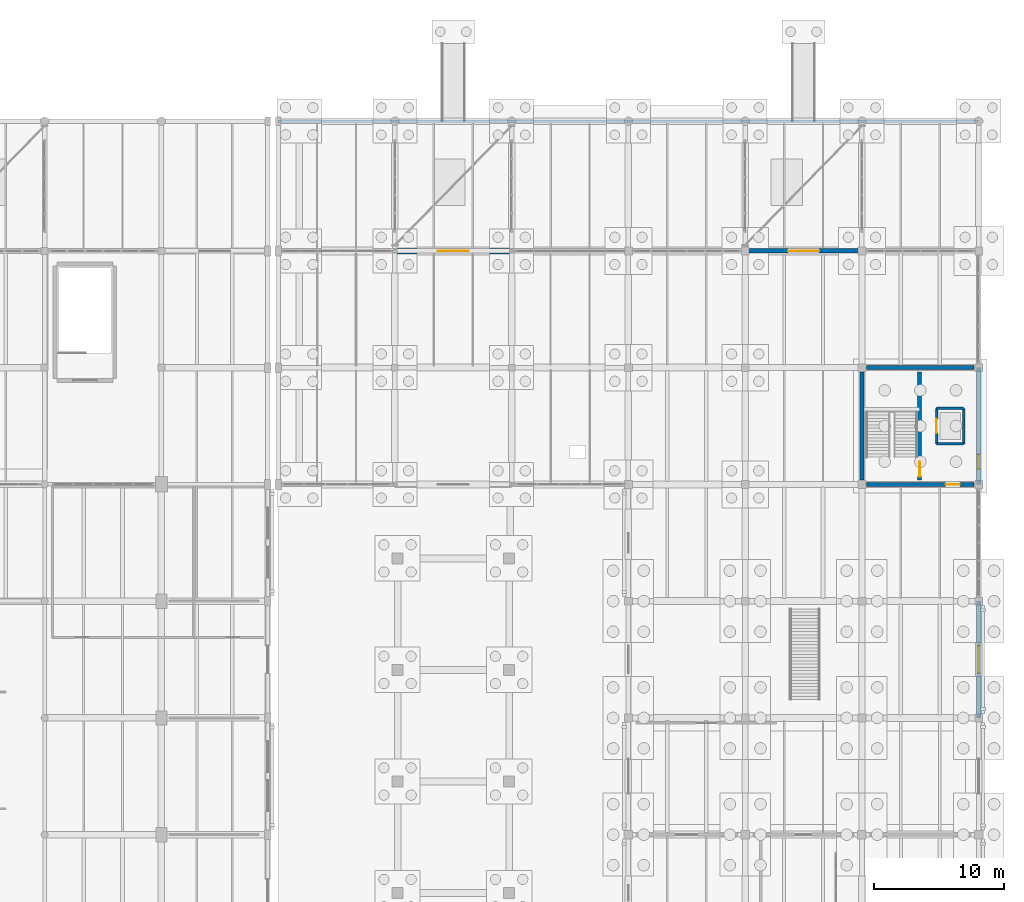
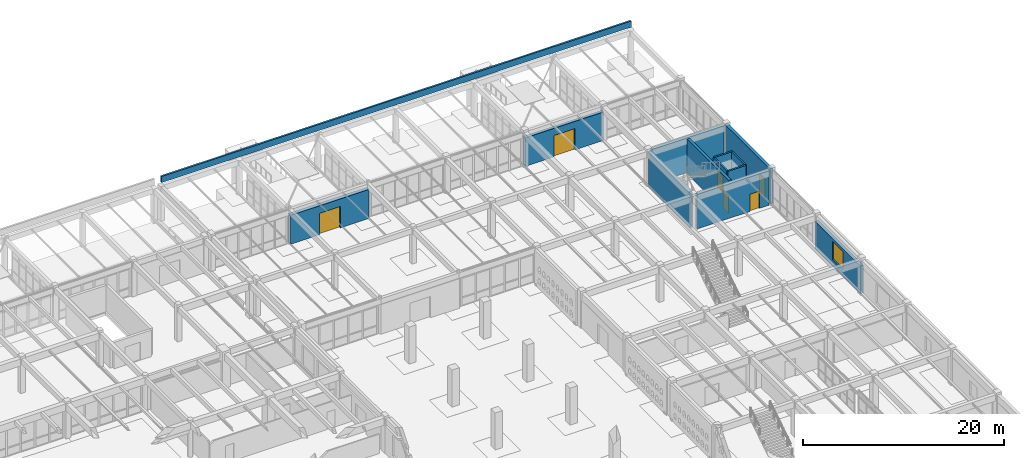
# One storey, part 170 of 186: 13 walls, 6 doors, 1 window, 7 openings.
"""IFC4 building model written with IfcOpenShell, lengths in metres."""

from ifc_helpers import new_model, si_unit, direction, frame, frame_2d, origin, place, context, subcontext, project, spatial, rectangle, extrude, material, layer, layer_set, type_object, element, fill, save


model = new_model("IFC4")

# Units and contexts
model_context = context("Model", 3, precision=1e-05, world=origin(), true_north=direction((0.0, 1.0)))
body_context = subcontext(model_context, "Body", "Model", "MODEL_VIEW")
ifc_project = project(units=[si_unit("LENGTHUNIT", "METRE"), si_unit("AREAUNIT", "SQUARE_METRE"), si_unit("VOLUMEUNIT", "CUBIC_METRE"), si_unit("PLANEANGLEUNIT", "RADIAN"), si_unit("MASSUNIT", "GRAM", prefix="KILO")], contexts=[model_context])

# Site, building, storey
site_placement = place(None, origin())
site = spatial("IfcSite", under=ifc_project, at=site_placement, CompositionType="ELEMENT")
building_placement = place(site_placement, origin())
building = spatial("IfcBuilding", under=site, at=building_placement, Name="Ornek Quay Market", CompositionType="ELEMENT")
storey_placement = place(building_placement, origin())
storey = spatial("IfcBuildingStorey", under=building, at=storey_placement, Name="L00", CompositionType="ELEMENT", Elevation=0.0)

# Wall, opening, door
ifc_material_1 = material(Name="Concrete C40/50", Category="concrete")
ifc_layer_1 = layer(ifc_material_1, 0.300048828125, Name="Concrete C40/50", Category="concrete")
ifc_layer_set_1 = layer_set([ifc_layer_1], Name="Concrete C40/50")
wall_type_1 = type_object("IfcWallType", Name="WL-CORE-300", PredefinedType="SHEAR", material=ifc_layer_set_1)
wall_1_placement = place(storey_placement, frame((175.449951171875, 92.35009765625, 0.0), z_axis=(0.0, 0.0, 1.0), x_axis=(0.0, 1.0, 0.0)))
wall_1 = element("IfcWall", 1, at=wall_1_placement, inside=storey, type_object=wall_type_1, Name="Interior wall W-CORE1-122", PredefinedType="SHEAR", context=body_context, shape_type="SweptSolid", body=[
    extrude(rectangle(XDim=8.2998046875, YDim=0.300048828125, at=frame_2d((4.14990234375, 0.0))), origin(), (0.0, 0.0, 1.0), 4.219970703125),
])
opening_1_placement = place(wall_1_placement, frame((0.25, 0.0, 0.0)))
opening_1 = element("IfcOpeningElement", 2, at=opening_1_placement, cuts=wall_1, Name="Opening FD-03-046", PredefinedType="OPENING", context=body_context, shape_type="SweptSolid", body=[
    extrude(rectangle(XDim=1.14990234375, YDim=2.14990234375, at=frame_2d((0.574951171875, 1.074951171875))), frame((0.0, 0.159912109375, 0.0), z_axis=(0.0, -1.0, 0.0), x_axis=(1.0, 0.0, 0.0)), (0.0, 0.0, 1.0), 0.320068359375),
])
ifc_material_2 = material(Name="Insulated fire-rated painted steel", Category="steel")
door_type_1 = type_object("IfcDoorType", Name="DR-FIRE-STAIR-1150x2150", OperationType="NOTDEFINED", PredefinedType="DOOR", material=ifc_material_2)
door_1_placement = place(opening_1_placement, origin())
door_1 = element("IfcDoor", 3, at=door_1_placement, inside=storey, type_object=door_type_1, Name="Interior door FD-03-046", OperationType="SINGLE_SWING_LEFT", OverallHeight=2.14990234375, OverallWidth=1.14990234375, PredefinedType="DOOR", context=body_context, shape_type="SweptSolid", body=[
    extrude(rectangle(XDim=1.14990234375, YDim=2.14990234375, at=frame_2d((0.574951171875, 1.074951171875))), frame((0.0, 0.02490234375, 0.0), z_axis=(0.0, -1.0, 0.0), x_axis=(1.0, 0.0, 0.0)), (0.0, 0.0, 1.0), 0.050048828125),
])
fill(opening_1, door_1)

# Wall
wall_2_placement = place(storey_placement, frame((171.0, 92.35009765625, 0.0), z_axis=(0.0, 0.0, 1.0), x_axis=(0.0, 1.0, 0.0)))
element("IfcWall", 4, at=wall_2_placement, inside=storey, type_object=wall_type_1, Name="Interior wall W-CORE1-123", PredefinedType="SHEAR", context=body_context, shape_type="SweptSolid", body=[
    extrude(rectangle(XDim=8.2998046875, YDim=0.300048828125, at=frame_2d((4.14990234375, 0.0))), origin(), (0.0, 0.0, 1.0), 4.219970703125),
])

# Wall, opening, door
wall_3_placement = place(storey_placement, frame((171.35009765625, 92.0, 0.0), z_axis=(0.0, 0.0, 1.0), x_axis=(1.0, 0.0, 0.0)))
wall_3 = element("IfcWall", 5, at=wall_3_placement, inside=storey, type_object=wall_type_1, Name="Interior wall W-CORE1-124", PredefinedType="SHEAR", context=body_context, shape_type="SweptSolid", body=[
    extrude(rectangle(XDim=8.2998046875, YDim=0.300048828125, at=frame_2d((4.14990234375, 0.0))), origin(), (0.0, 0.0, 1.0), 4.219970703125),
])
opening_2_placement = place(wall_3_placement, frame((6.10009765625, 0.0, 0.0)))
opening_2 = element("IfcOpeningElement", 6, at=opening_2_placement, cuts=wall_3, Name="Opening FD-04-047", PredefinedType="OPENING", context=body_context, shape_type="SweptSolid", body=[
    extrude(rectangle(XDim=1.10009765625, YDim=2.10009765625, at=frame_2d((0.550048828125, 1.050048828125))), frame((0.0, 0.159912109375, 0.0), z_axis=(0.0, -1.0, 0.0), x_axis=(1.0, 0.0, 0.0)), (0.0, 0.0, 1.0), 0.320068359375),
])
door_type_2 = type_object("IfcDoorType", Name="DR-FIRE-LOBBY-1100x2100", OperationType="NOTDEFINED", PredefinedType="DOOR", material=ifc_material_2)
door_2_placement = place(opening_2_placement, origin())
door_2 = element("IfcDoor", 7, at=door_2_placement, inside=storey, type_object=door_type_2, Name="Interior door FD-04-047", OperationType="SINGLE_SWING_RIGHT", OverallHeight=2.10009765625, OverallWidth=1.10009765625, PredefinedType="DOOR", context=body_context, shape_type="SweptSolid", body=[
    extrude(rectangle(XDim=1.10009765625, YDim=2.10009765625, at=frame_2d((0.550048828125, 1.050048828125))), frame((0.0, 0.02490234375, 0.0), z_axis=(0.0, -1.0, 0.0), x_axis=(1.0, 0.0, 0.0)), (0.0, 0.0, 1.0), 0.050048828125),
])
fill(opening_2, door_2)

# Wall
wall_4_placement = place(storey_placement, frame((171.35009765625, 101.0, 0.0), z_axis=(0.0, 0.0, 1.0), x_axis=(1.0, 0.0, 0.0)))
element("IfcWall", 8, at=wall_4_placement, inside=storey, type_object=wall_type_1, Name="Interior wall W-CORE1-125", PredefinedType="SHEAR", context=body_context, shape_type="SweptSolid", body=[
    extrude(rectangle(XDim=8.2998046875, YDim=0.300048828125, at=frame_2d((4.14990234375, 0.0))), origin(), (0.0, 0.0, 1.0), 4.219970703125),
])

# Wall, opening, door
ifc_material_3 = material(Name="Frost-resistant facing clay brick M200 F100", Category="masonry")
ifc_layer_2 = layer(ifc_material_3, 0.360107421875, Name="Frost-resistant facing clay brick M200 F100", Category="masonry")
ifc_layer_set_2 = layer_set([ifc_layer_2], Name="Frost-resistant facing clay brick M200 F100")
wall_type_2 = type_object("IfcWallType", Name="WL-EXT-FC-360", PredefinedType="STANDARD", material=ifc_layer_set_2)
wall_5_placement = place(storey_placement, frame((162.0, 110.0, 0.0), z_axis=(0.0, 0.0, 1.0), x_axis=(1.0, 0.0, 0.0)))
wall_5 = element("IfcWall", 9, at=wall_5_placement, inside=storey, type_object=wall_type_2, Name="Exterior wall EW-151", PredefinedType="STANDARD", context=body_context, shape_type="SweptSolid", body=[
    extrude(rectangle(XDim=9.0, YDim=0.360107421875, at=frame_2d((4.5, 0.0))), origin(), (0.0, 0.0, 1.0), 3.4599609375),
])
opening_3_placement = place(wall_5_placement, frame((3.300048828125, 0.0, 0.0)))
opening_3 = element("IfcOpeningElement", 10, at=opening_3_placement, cuts=wall_5, Name="Opening ED-01-037", PredefinedType="OPENING", context=body_context, shape_type="SweptSolid", body=[
    extrude(rectangle(XDim=2.39990234375, YDim=2.60009765625, at=frame_2d((1.199951171875, 1.300048828125))), frame((0.0, 0.18994140625, 0.0), z_axis=(0.0, -1.0, 0.0), x_axis=(1.0, 0.0, 0.0)), (0.0, 0.0, 1.0), 0.380126953125),
])
ifc_material_4 = material(Name="Anodised bronze aluminium and triple glass", Category="aluminium")
door_type_3 = type_object("IfcDoorType", Name="DR-EXT-DBL-2400x2600", OperationType="DOUBLE_DOOR_SINGLE_SWING", PredefinedType="DOOR", material=ifc_material_4)
door_3_placement = place(opening_3_placement, origin())
door_3 = element("IfcDoor", 11, at=door_3_placement, inside=storey, type_object=door_type_3, Name="Exterior door ED-01-037", OperationType="DOUBLE_DOOR_SINGLE_SWING", OverallHeight=2.60009765625, OverallWidth=2.39990234375, PredefinedType="DOOR", context=body_context, shape_type="SweptSolid", body=[
    extrude(rectangle(XDim=2.39990234375, YDim=2.60009765625, at=frame_2d((1.199951171875, 1.300048828125))), frame((0.0, 0.02490234375, 0.0), z_axis=(0.0, -1.0, 0.0), x_axis=(1.0, 0.0, 0.0)), (0.0, 0.0, 1.0), 0.050048828125),
])
fill(opening_3, door_3)

# Wall, opening, window
wall_6_placement = place(storey_placement, frame((180.0, 74.0, 0.0), z_axis=(0.0, 0.0, 1.0), x_axis=(0.0, 1.0, 0.0)))
wall_6 = element("IfcWall", 12, at=wall_6_placement, inside=storey, type_object=wall_type_2, Name="Exterior wall EW-156", PredefinedType="STANDARD", context=body_context, shape_type="SweptSolid", body=[
    extrude(rectangle(XDim=9.0, YDim=0.360107421875, at=frame_2d((4.5, 0.0))), origin(), (0.0, 0.0, 1.0), 3.360107421875),
])
opening_4_placement = place(wall_6_placement, frame((3.449951171875, 0.0, 0.800048828125)))
opening_4 = element("IfcOpeningElement", 13, at=opening_4_placement, cuts=wall_6, Name="Opening W-06-129", PredefinedType="OPENING", context=body_context, shape_type="SweptSolid", body=[
    extrude(rectangle(XDim=2.10009765625, YDim=2.199951171875, at=frame_2d((1.050048828125, 1.10009765625))), frame((0.0, 0.18994140625, 0.0), z_axis=(0.0, -1.0, 0.0), x_axis=(1.0, 0.0, 0.0)), (0.0, 0.0, 1.0), 0.380126953125),
])
ifc_material_5 = material(Name="Thermally broken bronze aluminium and triple low-e glass", Category="aluminium")
window_type = type_object("IfcWindowType", Name="WN-FC-2100x2200", PartitioningType="DOUBLE_PANEL_VERTICAL", PredefinedType="WINDOW", material=ifc_material_5)
window_placement = place(opening_4_placement, origin())
window = element("IfcWindow", 14, at=window_placement, inside=storey, type_object=window_type, Name="Window W-06-129", OverallHeight=2.199951171875, OverallWidth=2.10009765625, PartitioningType="SINGLE_PANEL", PredefinedType="WINDOW", context=body_context, shape_type="SweptSolid", body=[
    extrude(rectangle(XDim=2.10009765625, YDim=2.199951171875, at=frame_2d((1.050048828125, 1.10009765625))), frame((0.0, 0.030029296875, 0.0), z_axis=(0.0, -1.0, 0.0), x_axis=(1.0, 0.0, 0.0)), (0.0, 0.0, 1.0), 0.06005859375),
])
fill(opening_4, window)

# Wall, opening, door
wall_7_placement = place(storey_placement, frame((180.0, 101.0, 0.0), z_axis=(0.0, 0.0, 1.0), x_axis=(0.0, -1.0, 0.0)))
wall_7 = element("IfcWall", 15, at=wall_7_placement, inside=storey, type_object=wall_type_2, Name="Exterior wall EW-157", PredefinedType="STANDARD", context=body_context, shape_type="SweptSolid", body=[
    extrude(rectangle(XDim=9.0, YDim=0.360107421875, at=frame_2d((4.5, 0.0))), origin(), (0.0, 0.0, 1.0), 4.22998046875),
])
opening_5_placement = place(wall_7_placement, frame((6.699951171875, 0.0, 0.0)))
opening_5 = element("IfcOpeningElement", 16, at=opening_5_placement, cuts=wall_7, Name="Opening ED-05-039", PredefinedType="OPENING", context=body_context, shape_type="SweptSolid", body=[
    extrude(rectangle(XDim=1.10009765625, YDim=2.199951171875, at=frame_2d((0.550048828125, 1.10009765625))), frame((0.0, 0.18994140625, 0.0), z_axis=(0.0, -1.0, 0.0), x_axis=(1.0, 0.0, 0.0)), (0.0, 0.0, 1.0), 0.380126953125),
])
ifc_material_6 = material(Name="Insulated painted steel", Category="steel")
door_type_4 = type_object("IfcDoorType", Name="DR-EXT-SGL-1100x2200", OperationType="NOTDEFINED", PredefinedType="DOOR", material=ifc_material_6)
door_4_placement = place(opening_5_placement, origin())
door_4 = element("IfcDoor", 17, at=door_4_placement, inside=storey, type_object=door_type_4, Name="Exterior door ED-05-039", OperationType="SINGLE_SWING_RIGHT", OverallHeight=2.199951171875, OverallWidth=1.10009765625, PredefinedType="DOOR", context=body_context, shape_type="SweptSolid", body=[
    extrude(rectangle(XDim=1.10009765625, YDim=2.199951171875, at=frame_2d((0.550048828125, 1.10009765625))), frame((0.0, 0.02490234375, 0.0), z_axis=(0.0, -1.0, 0.0), x_axis=(1.0, 0.0, 0.0)), (0.0, 0.0, 1.0), 0.050048828125),
])
fill(opening_5, door_4)

ifc_material_7 = material(Name="Granite-faced insulated concrete C35/45", Category="masonry")
ifc_layer_3 = layer(ifc_material_7, 0.43994140625, Name="Granite-faced insulated concrete C35/45", Category="masonry")
ifc_layer_set_3 = layer_set([ifc_layer_3], Name="Granite-faced insulated concrete C35/45")
wall_type_3 = type_object("IfcWallType", Name="WL-EXT-PLINTH-440", PredefinedType="STANDARD", material=ifc_layer_set_3)
wall_8_placement = place(storey_placement, frame((135.0, 110.0, 0.0), z_axis=(0.0, 0.0, 1.0), x_axis=(1.0, 0.0, 0.0)))
wall_8 = element("IfcWall", 18, at=wall_8_placement, inside=storey, type_object=wall_type_3, Name="Exterior wall EW-090", PredefinedType="STANDARD", context=body_context, shape_type="SweptSolid", body=[
    extrude(rectangle(XDim=9.0, YDim=0.43994140625, at=frame_2d((4.5, 0.0))), origin(), (0.0, 0.0, 1.0), 3.52001953125),
])
opening_6_placement = place(wall_8_placement, frame((3.300048828125, 0.0, 0.0)))
opening_6 = element("IfcOpeningElement", 19, at=opening_6_placement, cuts=wall_8, Name="Opening ED-01-015", PredefinedType="OPENING", context=body_context, shape_type="SweptSolid", body=[
    extrude(rectangle(XDim=2.39990234375, YDim=2.60009765625, at=frame_2d((1.199951171875, 1.300048828125))), frame((0.0, 0.22998046875, 0.0), z_axis=(0.0, -1.0, 0.0), x_axis=(1.0, 0.0, 0.0)), (0.0, 0.0, 1.0), 0.4599609375),
])
door_5_placement = place(opening_6_placement, origin())
door_5 = element("IfcDoor", 20, at=door_5_placement, inside=storey, type_object=door_type_3, Name="Exterior door ED-01-015", OperationType="DOUBLE_DOOR_SINGLE_SWING", OverallHeight=2.60009765625, OverallWidth=2.39990234375, PredefinedType="DOOR", context=body_context, shape_type="SweptSolid", body=[
    extrude(rectangle(XDim=2.39990234375, YDim=2.60009765625, at=frame_2d((1.199951171875, 1.300048828125))), frame((0.0, 0.02490234375, 0.0), z_axis=(0.0, -1.0, 0.0), x_axis=(1.0, 0.0, 0.0)), (0.0, 0.0, 1.0), 0.050048828125),
])
fill(opening_6, door_5)

# Wall
ifc_material_8 = material(Name="Precast concrete C40/50", Category="concrete")
ifc_layer_4 = layer(ifc_material_8, 0.2099609375, Name="Precast concrete C40/50", Category="concrete")
ifc_layer_set_4 = layer_set([ifc_layer_4], Name="Precast concrete C40/50")
wall_type_4 = type_object("IfcWallType", Name="WL-PAR-210", PredefinedType="PARAPET", material=ifc_layer_set_4)
wall_9_placement = place(storey_placement, frame((126.0, 120.0, 4.5), z_axis=(0.0, 0.0, 1.0), x_axis=(1.0, 0.0, 0.0)))
element("IfcWall", 21, at=wall_9_placement, inside=storey, type_object=wall_type_4, Name="Roof parapet PR-03", PredefinedType="PARAPET", context=body_context, shape_type="SweptSolid", body=[
    extrude(rectangle(XDim=54.0, YDim=0.2099609375, at=frame_2d((27.0, 0.0))), origin(), (0.0, 0.0, 1.0), 0.75),
])

# Wall, opening, door
ifc_material_9 = material(Name="Concrete C35/45", Category="concrete")
ifc_layer_5 = layer(ifc_material_9, 0.199951171875, Name="Concrete C35/45", Category="concrete")
ifc_layer_set_5 = layer_set([ifc_layer_5], Name="Concrete C35/45")
wall_type_5 = type_object("IfcWallType", Name="WL-SHAFT-200", PredefinedType="SOLIDWALL", material=ifc_layer_set_5)
wall_10_placement = place(storey_placement, frame((176.760009765625, 95.1298828125, 0.0), z_axis=(0.0, 0.0, 1.0), x_axis=(0.0, 1.0, 0.0)))
wall_10 = element("IfcWall", 22, at=wall_10_placement, inside=storey, type_object=wall_type_5, Name="Interior wall W-CORE3-126", PredefinedType="SOLIDWALL", context=body_context, shape_type="SweptSolid", body=[
    extrude(rectangle(XDim=2.740234375, YDim=0.199951171875, at=frame_2d((1.3701171875, 0.0))), origin(), (0.0, 0.0, 1.0), 3.199951171875),
])
opening_7_placement = place(wall_10_placement, frame((0.820068359375, 0.0, 0.0)))
opening_7 = element("IfcOpeningElement", 23, at=opening_7_placement, cuts=wall_10, Name="Opening LD-01-048", PredefinedType="OPENING", context=body_context, shape_type="SweptSolid", body=[
    extrude(rectangle(XDim=1.10009765625, YDim=2.10009765625, at=frame_2d((0.550048828125, 1.050048828125))), frame((0.0, 0.10986328125, 0.0), z_axis=(0.0, -1.0, 0.0), x_axis=(1.0, 0.0, 0.0)), (0.0, 0.0, 1.0), 0.219970703125),
])
ifc_material_10 = material(Name="Brushed stainless steel landing door", Category="steel")
door_type_5 = type_object("IfcDoorType", Name="DR-LIFT-1100x2100", OperationType="SLIDING_TO_LEFT", PredefinedType="DOOR", material=ifc_material_10)
door_6_placement = place(opening_7_placement, origin())
door_6 = element("IfcDoor", 24, at=door_6_placement, inside=storey, type_object=door_type_5, Name="Interior door LD-01-048", OperationType="SLIDING_TO_LEFT", OverallHeight=2.10009765625, OverallWidth=1.10009765625, PredefinedType="DOOR", context=body_context, shape_type="SweptSolid", body=[
    extrude(rectangle(XDim=1.10009765625, YDim=2.10009765625, at=frame_2d((0.550048828125, 1.050048828125))), frame((0.0, 0.02490234375, 0.0), z_axis=(0.0, -1.0, 0.0), x_axis=(1.0, 0.0, 0.0)), (0.0, 0.0, 1.0), 0.050048828125),
])
fill(opening_7, door_6)

# Walls
for number, where, z_axis, x_axis, name in (
    (25, (176.760009765625, 95.1298828125, 0.0), (0.0, 0.0, 1.0), (1.0, 0.0, 0.0), "Interior wall W-CORE3-127"),
    (26, (176.760009765625, 97.8701171875, 0.0), (0.0, 0.0, 1.0), (1.0, 0.0, 0.0), "Interior wall W-CORE3-128"),
):
    element("IfcWall", number, at=place(storey_placement, frame(where, z_axis=z_axis, x_axis=x_axis)), inside=storey, type_object=wall_type_5, Name=name, PredefinedType="SOLIDWALL", context=body_context, shape_type="SweptSolid", body=[
        extrude(rectangle(XDim=2.080078125, YDim=0.199951171875, at=frame_2d((1.0400390625, 0.0))), origin(), (0.0, 0.0, 1.0), 3.199951171875),
    ])
wall_11_placement = place(storey_placement, frame((178.840087890625, 95.1298828125, 0.0), z_axis=(0.0, 0.0, 1.0), x_axis=(0.0, 1.0, 0.0)))
element("IfcWall", 27, at=wall_11_placement, inside=storey, type_object=wall_type_5, Name="Interior wall W-CORE3-129", PredefinedType="SOLIDWALL", context=body_context, shape_type="SweptSolid", body=[
    extrude(rectangle(XDim=2.740234375, YDim=0.199951171875, at=frame_2d((1.3701171875, 0.0))), origin(), (0.0, 0.0, 1.0), 3.199951171875),
])

save(model, "model.ifc")
